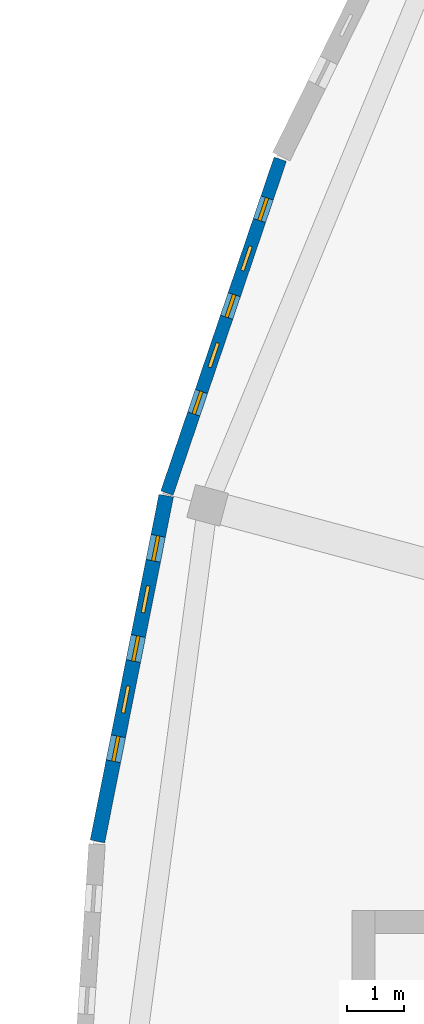
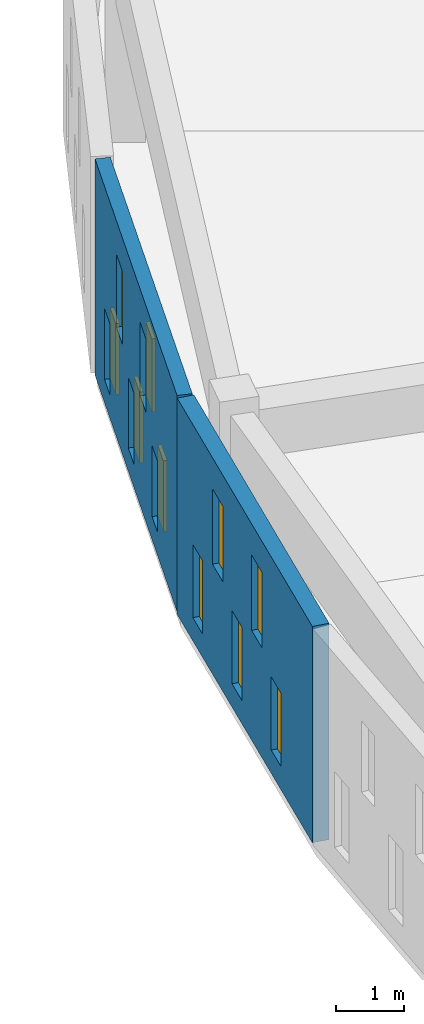
# One storey, part 57 of 98: 10 windows, 2 walls, 10 openings.
"""IFC4 building model written with IfcOpenShell, lengths in metres."""

from ifc_helpers import new_model, si_unit, direction, frame, frame_2d, origin, place, context, subcontext, project, spatial, rectangle, extrude, material, layer, layer_set, type_object, element, fill, save


model = new_model("IFC4")

# Units and contexts
model_context = context("Model", 3, precision=1e-05, world=origin(), true_north=direction((0.0, 1.0)))
body_context = subcontext(model_context, "Body", "Model", "MODEL_VIEW")
ifc_project = project(units=[si_unit("LENGTHUNIT", "METRE"), si_unit("AREAUNIT", "SQUARE_METRE"), si_unit("VOLUMEUNIT", "CUBIC_METRE"), si_unit("PLANEANGLEUNIT", "RADIAN"), si_unit("MASSUNIT", "GRAM", prefix="KILO")], contexts=[model_context])

# Site, building, storey
site_placement = place(None, origin())
site = spatial("IfcSite", under=ifc_project, at=site_placement, CompositionType="ELEMENT")
building_placement = place(site_placement, origin())
building = spatial("IfcBuilding", under=site, at=building_placement, Name="Larkveld Mobility Hub", CompositionType="ELEMENT")
storey_placement = place(building_placement, frame((0.0, 0.0, 4.5)))
storey = spatial("IfcBuildingStorey", under=building, at=storey_placement, Name="L01", CompositionType="ELEMENT", Elevation=4.5)

# Wall, openings, windows
ifc_material_1 = material(Name="Fired clay brick 25 MPa", Category="masonry")
ifc_layer_1 = layer(ifc_material_1, 0.22998046875, Name="Fired clay brick 25 MPa", Category="masonry")
ifc_layer_set_1 = layer_set([ifc_layer_1], Name="Fired clay brick 25 MPa")
wall_type_1 = type_object("IfcWallType", Name="WL-BRK-230", PredefinedType="USERDEFINED", material=ifc_layer_set_1)
wall_1_placement = place(storey_placement, frame((3.783935546875, 66.2880859375, 0.0), z_axis=(0.0, 0.0, 1.0), x_axis=(-0.321364960579, -0.946955417172, 0.0)))
wall_1 = element("IfcWall", 1, at=wall_1_placement, inside=storey, type_object=wall_type_1, Name="Drum Woven Open-Bond Brick Chord L01-0066", ObjectType="PERFORATED BRICK SCREEN", PredefinedType="USERDEFINED", context=body_context, shape_type="SweptSolid", body=[
    extrude(rectangle(XDim=6.21044921875, YDim=0.22998046875, at=frame_2d((3.105224609375, 0.0))), origin(), (0.0, 0.0, 1.0), 3.89990234375),
])
opening_1_placement = place(wall_1_placement, frame((0.719970703125, 0.0, 0.419921875)))
opening_1 = element("IfcOpeningElement", 2, at=opening_1_placement, cuts=wall_1, Name="Opening W01", PredefinedType="OPENING", context=body_context, shape_type="SweptSolid", body=[
    extrude(rectangle(XDim=0.419921875, YDim=1.280029296875, at=frame_2d((0.2099609375, 0.64013671875))), frame((0.0, 0.125, 0.0), z_axis=(0.0, -1.0, 0.0), x_axis=(1.0, 0.0, 0.0)), (0.0, 0.0, 1.0), 0.25),
])
opening_2_placement = place(wall_1_placement, frame((2.52001953125, 0.0, 0.419921875)))
opening_2 = element("IfcOpeningElement", 3, at=opening_2_placement, cuts=wall_1, Name="Opening W01", PredefinedType="OPENING", context=body_context, shape_type="SweptSolid", body=[
    extrude(rectangle(XDim=0.419921875, YDim=1.280029296875, at=frame_2d((0.2099609375, 0.64013671875))), frame((0.0, 0.125, 0.0), z_axis=(0.0, -1.0, 0.0), x_axis=(1.0, 0.0, 0.0)), (0.0, 0.0, 1.0), 0.25),
])
opening_3_placement = place(wall_1_placement, frame((4.320068359375, 0.0, 0.419921875)))
opening_3 = element("IfcOpeningElement", 4, at=opening_3_placement, cuts=wall_1, Name="Opening W01", PredefinedType="OPENING", context=body_context, shape_type="SweptSolid", body=[
    extrude(rectangle(XDim=0.419921875, YDim=1.280029296875, at=frame_2d((0.2099609375, 0.64013671875))), frame((0.0, 0.125, 0.0), z_axis=(0.0, -1.0, 0.0), x_axis=(1.0, 0.0, 0.0)), (0.0, 0.0, 1.0), 0.25),
])
opening_4_placement = place(wall_1_placement, frame((1.6201171875, 0.0, 1.97998046875)))
opening_4 = element("IfcOpeningElement", 5, at=opening_4_placement, cuts=wall_1, Name="Opening W02", PredefinedType="OPENING", context=body_context, shape_type="SweptSolid", body=[
    extrude(rectangle(XDim=0.449951171875, YDim=1.320068359375, at=frame_2d((0.22509765625, 0.66015625))), frame((0.0, 0.125, 0.0), z_axis=(0.0, -1.0, 0.0), x_axis=(1.0, 0.0, 0.0)), (0.0, 0.0, 1.0), 0.25),
])
opening_5_placement = place(wall_1_placement, frame((3.419921875, 0.0, 1.97998046875)))
opening_5 = element("IfcOpeningElement", 6, at=opening_5_placement, cuts=wall_1, Name="Opening W02", PredefinedType="OPENING", context=body_context, shape_type="SweptSolid", body=[
    extrude(rectangle(XDim=0.449951171875, YDim=1.320068359375, at=frame_2d((0.22509765625, 0.66015625))), frame((0.0, 0.125, 0.0), z_axis=(0.0, -1.0, 0.0), x_axis=(1.0, 0.0, 0.0)), (0.0, 0.0, 1.0), 0.25),
])
ifc_material_2 = material(Name="Extruded aluminium ventilation grille", Category="aluminium")
window_type_1 = type_object("IfcWindowType", Name="WN-VENT-01", PartitioningType="SINGLE_PANEL", PredefinedType="WINDOW", material=ifc_material_2)
window_1_placement = place(opening_1_placement, origin())
window_1 = element("IfcWindow", 7, at=window_1_placement, inside=storey, type_object=window_type_1, Name="Window W01 (0316)", OverallHeight=1.280029296875, OverallWidth=0.419921875, PartitioningType="SINGLE_PANEL", PredefinedType="WINDOW", context=body_context, shape_type="SweptSolid", body=[
    extrude(rectangle(XDim=0.419921875, YDim=1.280029296875, at=frame_2d((0.2099609375, 0.64013671875))), frame((0.0, 0.030029296875, 0.0), z_axis=(0.0, -1.0, 0.0), x_axis=(1.0, 0.0, 0.0)), (0.0, 0.0, 1.0), 0.06005859375),
])
fill(opening_1, window_1)
window_2_placement = place(opening_2_placement, origin())
window_2 = element("IfcWindow", 8, at=window_2_placement, inside=storey, type_object=window_type_1, Name="Window W01 (0317)", OverallHeight=1.280029296875, OverallWidth=0.419921875, PartitioningType="SINGLE_PANEL", PredefinedType="WINDOW", context=body_context, shape_type="SweptSolid", body=[
    extrude(rectangle(XDim=0.419921875, YDim=1.280029296875, at=frame_2d((0.2099609375, 0.64013671875))), frame((0.0, 0.030029296875, 0.0), z_axis=(0.0, -1.0, 0.0), x_axis=(1.0, 0.0, 0.0)), (0.0, 0.0, 1.0), 0.06005859375),
])
fill(opening_2, window_2)
window_3_placement = place(opening_3_placement, origin())
window_3 = element("IfcWindow", 9, at=window_3_placement, inside=storey, type_object=window_type_1, Name="Window W01 (0318)", OverallHeight=1.280029296875, OverallWidth=0.419921875, PartitioningType="SINGLE_PANEL", PredefinedType="WINDOW", context=body_context, shape_type="SweptSolid", body=[
    extrude(rectangle(XDim=0.419921875, YDim=1.280029296875, at=frame_2d((0.2099609375, 0.64013671875))), frame((0.0, 0.030029296875, 0.0), z_axis=(0.0, -1.0, 0.0), x_axis=(1.0, 0.0, 0.0)), (0.0, 0.0, 1.0), 0.06005859375),
])
fill(opening_3, window_3)
window_type_2 = type_object("IfcWindowType", Name="WN-VENT-02", PartitioningType="SINGLE_PANEL", PredefinedType="WINDOW", material=ifc_material_2)
window_4_placement = place(opening_4_placement, origin())
window_4 = element("IfcWindow", 10, at=window_4_placement, inside=storey, type_object=window_type_2, Name="Window W02 (0319)", OverallHeight=1.320068359375, OverallWidth=0.449951171875, PartitioningType="SINGLE_PANEL", PredefinedType="WINDOW", context=body_context, shape_type="SweptSolid", body=[
    extrude(rectangle(XDim=0.449951171875, YDim=1.320068359375, at=frame_2d((0.22509765625, 0.66015625))), frame((0.0, 0.030029296875, 0.0), z_axis=(0.0, -1.0, 0.0), x_axis=(1.0, 0.0, 0.0)), (0.0, 0.0, 1.0), 0.06005859375),
])
fill(opening_4, window_4)
window_5_placement = place(opening_5_placement, origin())
window_5 = element("IfcWindow", 11, at=window_5_placement, inside=storey, type_object=window_type_2, Name="Window W02 (0320)", OverallHeight=1.320068359375, OverallWidth=0.449951171875, PartitioningType="SINGLE_PANEL", PredefinedType="WINDOW", context=body_context, shape_type="SweptSolid", body=[
    extrude(rectangle(XDim=0.449951171875, YDim=1.320068359375, at=frame_2d((0.22509765625, 0.66015625))), frame((0.0, 0.030029296875, 0.0), z_axis=(0.0, -1.0, 0.0), x_axis=(1.0, 0.0, 0.0)), (0.0, 0.0, 1.0), 0.06005859375),
])
fill(opening_5, window_5)

ifc_layer_2 = layer(ifc_material_1, 0.260009765625, Name="Fired clay brick 25 MPa", Category="masonry")
ifc_layer_set_2 = layer_set([ifc_layer_2], Name="Fired clay brick 25 MPa")
wall_type_2 = type_object("IfcWallType", Name="WL-BRK-260", PredefinedType="USERDEFINED", material=ifc_layer_set_2)
wall_2_placement = place(storey_placement, frame((1.77490234375, 60.360107421875, 0.0), z_axis=(0.0, 0.0, 1.0), x_axis=(-0.195019632022, -0.980799338869, 0.0)))
wall_2 = element("IfcWall", 12, at=wall_2_placement, inside=storey, type_object=wall_type_2, Name="Drum Woven Open-Bond Brick Chord L01-0067", ObjectType="PERFORATED BRICK SCREEN", PredefinedType="USERDEFINED", context=body_context, shape_type="SweptSolid", body=[
    extrude(rectangle(XDim=6.209228515625, YDim=0.260009765625, at=frame_2d((3.1044921875, 0.0))), origin(), (0.0, 0.0, 1.0), 3.89990234375),
])
opening_6_placement = place(wall_2_placement, frame((0.719970703125, 0.0, 0.419921875)))
opening_6 = element("IfcOpeningElement", 13, at=opening_6_placement, cuts=wall_2, Name="Opening W02", PredefinedType="OPENING", context=body_context, shape_type="SweptSolid", body=[
    extrude(rectangle(XDim=0.449951171875, YDim=1.320068359375, at=frame_2d((0.22509765625, 0.66015625))), frame((0.0, 0.14013671875, 0.0), z_axis=(0.0, -1.0, 0.0), x_axis=(1.0, 0.0, 0.0)), (0.0, 0.0, 1.0), 0.280029296875),
])
opening_7_placement = place(wall_2_placement, frame((2.52001953125, 0.0, 0.419921875)))
opening_7 = element("IfcOpeningElement", 14, at=opening_7_placement, cuts=wall_2, Name="Opening W02", PredefinedType="OPENING", context=body_context, shape_type="SweptSolid", body=[
    extrude(rectangle(XDim=0.449951171875, YDim=1.320068359375, at=frame_2d((0.22509765625, 0.66015625))), frame((0.0, 0.14013671875, 0.0), z_axis=(0.0, -1.0, 0.0), x_axis=(1.0, 0.0, 0.0)), (0.0, 0.0, 1.0), 0.280029296875),
])
opening_8_placement = place(wall_2_placement, frame((4.320068359375, 0.0, 0.419921875)))
opening_8 = element("IfcOpeningElement", 15, at=opening_8_placement, cuts=wall_2, Name="Opening W02", PredefinedType="OPENING", context=body_context, shape_type="SweptSolid", body=[
    extrude(rectangle(XDim=0.449951171875, YDim=1.320068359375, at=frame_2d((0.22509765625, 0.66015625))), frame((0.0, 0.14013671875, 0.0), z_axis=(0.0, -1.0, 0.0), x_axis=(1.0, 0.0, 0.0)), (0.0, 0.0, 1.0), 0.280029296875),
])
opening_9_placement = place(wall_2_placement, frame((1.6201171875, 0.0, 1.97998046875)))
opening_9 = element("IfcOpeningElement", 16, at=opening_9_placement, cuts=wall_2, Name="Opening W03", PredefinedType="OPENING", context=body_context, shape_type="SweptSolid", body=[
    extrude(rectangle(XDim=0.47998046875, YDim=1.360107421875, at=frame_2d((0.239990234375, 0.68017578125))), frame((0.0, 0.14013671875, 0.0), z_axis=(0.0, -1.0, 0.0), x_axis=(1.0, 0.0, 0.0)), (0.0, 0.0, 1.0), 0.280029296875),
])
opening_10_placement = place(wall_2_placement, frame((3.419921875, 0.0, 1.97998046875)))
opening_10 = element("IfcOpeningElement", 17, at=opening_10_placement, cuts=wall_2, Name="Opening W03", PredefinedType="OPENING", context=body_context, shape_type="SweptSolid", body=[
    extrude(rectangle(XDim=0.47998046875, YDim=1.360107421875, at=frame_2d((0.239990234375, 0.68017578125))), frame((0.0, 0.14013671875, 0.0), z_axis=(0.0, -1.0, 0.0), x_axis=(1.0, 0.0, 0.0)), (0.0, 0.0, 1.0), 0.280029296875),
])
window_6_placement = place(opening_6_placement, origin())
window_6 = element("IfcWindow", 18, at=window_6_placement, inside=storey, type_object=window_type_2, Name="Window W02 (0321)", OverallHeight=1.320068359375, OverallWidth=0.449951171875, PartitioningType="SINGLE_PANEL", PredefinedType="WINDOW", context=body_context, shape_type="SweptSolid", body=[
    extrude(rectangle(XDim=0.449951171875, YDim=1.320068359375, at=frame_2d((0.22509765625, 0.66015625))), frame((0.0, 0.030029296875, 0.0), z_axis=(0.0, -1.0, 0.0), x_axis=(1.0, 0.0, 0.0)), (0.0, 0.0, 1.0), 0.06005859375),
])
fill(opening_6, window_6)
window_7_placement = place(opening_7_placement, origin())
window_7 = element("IfcWindow", 19, at=window_7_placement, inside=storey, type_object=window_type_2, Name="Window W02 (0322)", OverallHeight=1.320068359375, OverallWidth=0.449951171875, PartitioningType="SINGLE_PANEL", PredefinedType="WINDOW", context=body_context, shape_type="SweptSolid", body=[
    extrude(rectangle(XDim=0.449951171875, YDim=1.320068359375, at=frame_2d((0.22509765625, 0.66015625))), frame((0.0, 0.030029296875, 0.0), z_axis=(0.0, -1.0, 0.0), x_axis=(1.0, 0.0, 0.0)), (0.0, 0.0, 1.0), 0.06005859375),
])
fill(opening_7, window_7)
window_8_placement = place(opening_8_placement, origin())
window_8 = element("IfcWindow", 20, at=window_8_placement, inside=storey, type_object=window_type_2, Name="Window W02 (0323)", OverallHeight=1.320068359375, OverallWidth=0.449951171875, PartitioningType="SINGLE_PANEL", PredefinedType="WINDOW", context=body_context, shape_type="SweptSolid", body=[
    extrude(rectangle(XDim=0.449951171875, YDim=1.320068359375, at=frame_2d((0.22509765625, 0.66015625))), frame((0.0, 0.030029296875, 0.0), z_axis=(0.0, -1.0, 0.0), x_axis=(1.0, 0.0, 0.0)), (0.0, 0.0, 1.0), 0.06005859375),
])
fill(opening_8, window_8)
window_type_3 = type_object("IfcWindowType", Name="WN-VENT-03", PartitioningType="SINGLE_PANEL", PredefinedType="WINDOW", material=ifc_material_2)
window_9_placement = place(opening_9_placement, origin())
window_9 = element("IfcWindow", 21, at=window_9_placement, inside=storey, type_object=window_type_3, Name="Window W03 (0324)", OverallHeight=1.360107421875, OverallWidth=0.47998046875, PartitioningType="SINGLE_PANEL", PredefinedType="WINDOW", context=body_context, shape_type="SweptSolid", body=[
    extrude(rectangle(XDim=0.47998046875, YDim=1.360107421875, at=frame_2d((0.239990234375, 0.68017578125))), frame((0.0, 0.030029296875, 0.0), z_axis=(0.0, -1.0, 0.0), x_axis=(1.0, 0.0, 0.0)), (0.0, 0.0, 1.0), 0.06005859375),
])
fill(opening_9, window_9)
window_10_placement = place(opening_10_placement, origin())
window_10 = element("IfcWindow", 22, at=window_10_placement, inside=storey, type_object=window_type_3, Name="Window W03 (0325)", OverallHeight=1.360107421875, OverallWidth=0.47998046875, PartitioningType="SINGLE_PANEL", PredefinedType="WINDOW", context=body_context, shape_type="SweptSolid", body=[
    extrude(rectangle(XDim=0.47998046875, YDim=1.360107421875, at=frame_2d((0.239990234375, 0.68017578125))), frame((0.0, 0.030029296875, 0.0), z_axis=(0.0, -1.0, 0.0), x_axis=(1.0, 0.0, 0.0)), (0.0, 0.0, 1.0), 0.06005859375),
])
fill(opening_10, window_10)

save(model, "model.ifc")
